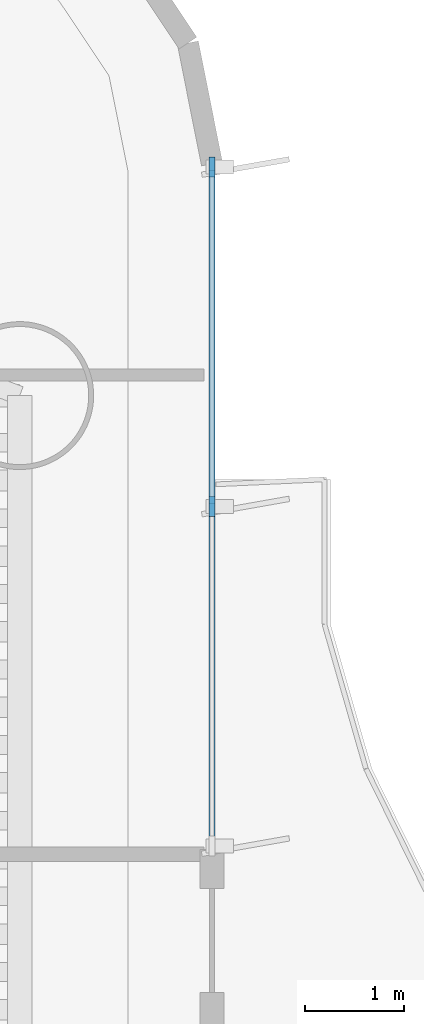
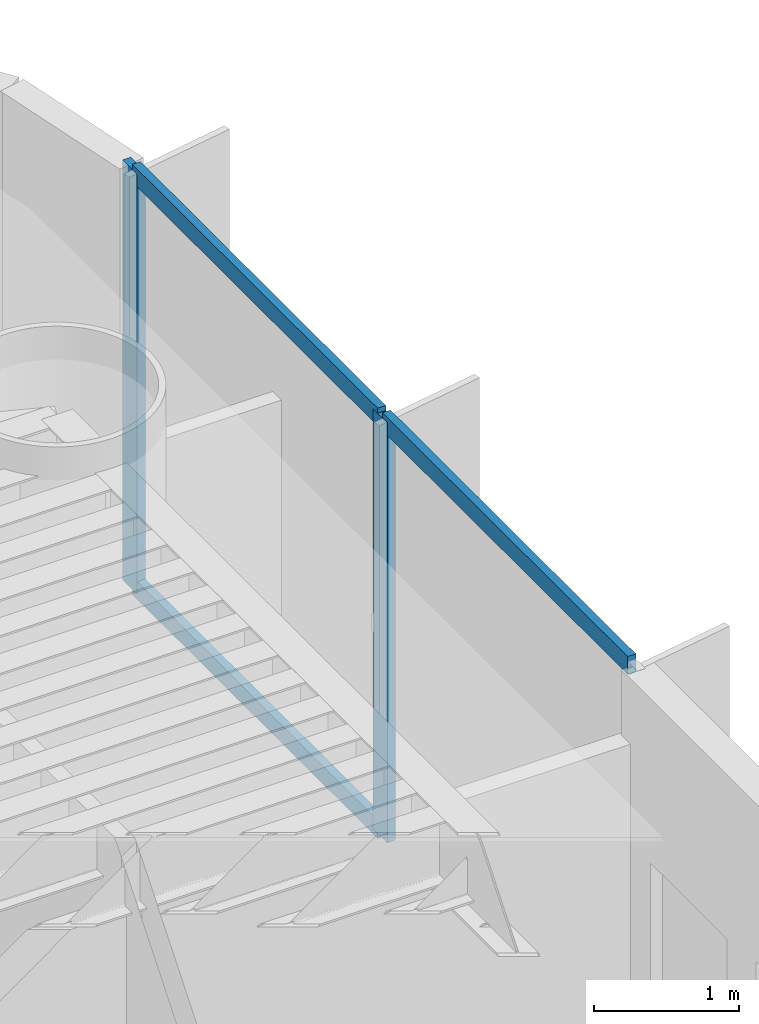
# One storey, part 6 of 18: 5 members, 1 element without a shape of its own.
"""IFC4 building model written with IfcOpenShell, lengths in metres."""

import ifcopenshell
import ifcopenshell.guid

model = None  # the IFC model being written
_history = None  # IfcOwnerHistory: only IFC2X3 demands one
_inside = {}  # id of a spatial element -> (the spatial element, [elements in it])
_under = {}  # id of a project, library or spatial element -> (it, [spatial elements below it])
_declared = {}  # id of a project -> (the project, [libraries it declares])
_typed = {}  # id of a type object -> (the type object, [elements of that type])
_made_of = {}  # id of a material, layer set ... -> (it, [elements and type objects made of it])


def new_model(schema):
    """Start an empty IFC model of exactly this schema.

    Asked for "IFC4X3", IfcOpenShell would pick the latest addendum, in which some entities
    have other attributes; the version numbers below select the first issue.
    IFC2X3 requires an IfcOwnerHistory on every rooted entity: one is made here for all.
    """
    global model, _history
    if schema == "IFC4X3":
        model = ifcopenshell.file(schema_version=(4, 3, 0, 0))
    else:
        model = ifcopenshell.file(schema=schema)
    _inside.clear()
    _under.clear()
    _declared.clear()
    _typed.clear()
    _made_of.clear()
    _history = None
    if model.schema == "IFC2X3":
        org = make("IfcOrganization", Name="unknown")
        user = make(
            "IfcPersonAndOrganization",
            ThePerson=make("IfcPerson", FamilyName="unknown"),
            TheOrganization=org,
        )
        app = make(
            "IfcApplication",
            ApplicationDeveloper=org,
            Version="unknown",
            ApplicationFullName="unknown",
            ApplicationIdentifier="unknown",
        )
        _history = make(
            "IfcOwnerHistory",
            OwningUser=user,
            OwningApplication=app,
            ChangeAction="ADDED",
            CreationDate=0,
        )
    return model


def make(cls, **values):
    """One entity of the class cls with the attributes given. An attribute that is None is left unset."""
    return model.create_entity(
        cls, **{name: value for name, value in values.items() if value is not None}
    )


def rooted(cls, **values):
    """An entity with a GlobalId (a new one), such as an element, a storey or a relation."""
    return make(cls, GlobalId=ifcopenshell.guid.new(), OwnerHistory=_history, **values)


def si_unit(unit_type, name, prefix=None):
    """IfcSIUnit, for example si_unit("LENGTHUNIT", "METRE", prefix="MILLI")."""
    return make("IfcSIUnit", UnitType=unit_type, Prefix=prefix, Name=name)


def assignment(units):
    """IfcUnitAssignment: the units of a project."""
    return None if units is None else make("IfcUnitAssignment", Units=units)


def point(xyz):
    """IfcCartesianPoint."""
    return None if xyz is None else make("IfcCartesianPoint", Coordinates=xyz)


def direction(xyz):
    """IfcDirection."""
    return None if xyz is None else make("IfcDirection", DirectionRatios=xyz)


def frame(location, z_axis=None, x_axis=None):
    """IfcAxis2Placement3D, a coordinate frame: its origin and axes. An axis left out is left unset."""
    return make(
        "IfcAxis2Placement3D",
        Location=point(location),
        Axis=direction(z_axis),
        RefDirection=direction(x_axis),
    )


def frame_2d(location, x_axis=None):
    """IfcAxis2Placement2D, a coordinate frame in the plane: its origin and x axis."""
    return make(
        "IfcAxis2Placement2D", Location=point(location), RefDirection=direction(x_axis)
    )


def origin():
    """The frame at (0, 0, 0) with its axes left unset."""
    return frame((0.0, 0.0, 0.0))


def origin_2d():
    """The frame at (0, 0) in the plane with its x axis left unset."""
    return frame_2d((0.0, 0.0))


def place(relative_to, where):
    """IfcLocalPlacement: puts the frame where relative to a parent placement (None: the world)."""
    return make(
        "IfcLocalPlacement", PlacementRelTo=relative_to, RelativePlacement=where
    )


def context(
    kind, dimensions, precision=None, world=None, true_north=None, identifier=None
):
    """IfcGeometricRepresentationContext, for example the 3D "Model" context."""
    return make(
        "IfcGeometricRepresentationContext",
        ContextIdentifier=identifier,
        ContextType=kind,
        CoordinateSpaceDimension=dimensions,
        Precision=precision,
        WorldCoordinateSystem=world,
        TrueNorth=true_north,
    )


def subcontext(parent, identifier, kind, view, scale=None):
    """IfcGeometricRepresentationSubContext, for example "Body" below "Model"."""
    return make(
        "IfcGeometricRepresentationSubContext",
        ContextIdentifier=identifier,
        ContextType=kind,
        ParentContext=parent,
        TargetScale=scale,
        TargetView=view,
    )


def project(units=None, contexts=None):
    """IfcProject with its units and contexts."""
    return rooted(
        "IfcProject",
        Name="project",
        RepresentationContexts=contexts,
        UnitsInContext=assignment(units),
    )


def spatial(cls, under=None, at=None, **own):
    """A site, building, storey or space (cls), placed at a placement, below another one or the project."""
    s = rooted(cls, ObjectPlacement=at, **own)
    if under is not None:
        _under.setdefault(under.id(), (under, []))[1].append(s)
    return s


def profile(cls, at=None, kind="AREA", **sizes):
    """A parametric profile (cls). Its sizes go by their IFC names, for example OverallWidth=200.0."""
    return make(cls, ProfileType=kind, Position=at, **sizes)


def rectangle(**sizes):
    """IfcRectangleProfileDef."""
    return profile("IfcRectangleProfileDef", **sizes)


def extrude(swept, where, along, depth):
    """IfcExtrudedAreaSolid: the profile swept, set in the frame where, extruded along a direction by depth."""
    return make(
        "IfcExtrudedAreaSolid",
        SweptArea=swept,
        Position=where,
        ExtrudedDirection=direction(along),
        Depth=depth,
    )


def shape(context_of_items, identifier, shape_type, items):
    """IfcShapeRepresentation: the items that make up one representation, for example the "Body"."""
    return make(
        "IfcShapeRepresentation",
        ContextOfItems=context_of_items,
        RepresentationIdentifier=identifier,
        RepresentationType=shape_type,
        Items=items,
    )


def source(mapping_origin, context_of_items, identifier, shape_type, items):
    """IfcRepresentationMap: a shape defined once, which mapped items show again and again."""
    return make(
        "IfcRepresentationMap",
        MappingOrigin=mapping_origin,
        MappedRepresentation=shape(context_of_items, identifier, shape_type, items),
    )


def transform(
    local_origin,
    x_axis=None,
    y_axis=None,
    z_axis=None,
    scale=None,
    scale2=None,
    scale3=None,
    uniform=True,
):
    """IfcCartesianTransformationOperator3D, or its non-uniform kind. x_axis, y_axis, z_axis: its Axis1, 2, 3."""
    if uniform:
        return make(
            "IfcCartesianTransformationOperator3D",
            Axis1=direction(x_axis),
            Axis2=direction(y_axis),
            LocalOrigin=point(local_origin),
            Scale=scale,
            Axis3=direction(z_axis),
        )
    return make(
        "IfcCartesianTransformationOperator3DnonUniform",
        Axis1=direction(x_axis),
        Axis2=direction(y_axis),
        LocalOrigin=point(local_origin),
        Scale=scale,
        Axis3=direction(z_axis),
        Scale2=scale2,
        Scale3=scale3,
    )


def mapped(mapping_source, mapping_target):
    """IfcMappedItem: shows the shape of a source again, moved by a transform."""
    return make(
        "IfcMappedItem", MappingSource=mapping_source, MappingTarget=mapping_target
    )


def material(Name=None, Category=None):
    """IfcMaterial."""
    return make("IfcMaterial", Name=Name, Category=Category)


def layer(
    of_material, thickness, ventilated=None, Name=None, Category=None, Priority=None
):
    """IfcMaterialLayer: one layer of a wall or slab, of a material (None: an air gap)."""
    return make(
        "IfcMaterialLayer",
        Material=of_material,
        LayerThickness=thickness,
        IsVentilated=ventilated,
        Name=Name,
        Category=Category,
        Priority=Priority,
    )


def layer_set(layers, Name=None):
    """IfcMaterialLayerSet."""
    return make("IfcMaterialLayerSet", MaterialLayers=layers, LayerSetName=Name)


def material_profile(
    of_material, cross_section, Name=None, Category=None, Priority=None
):
    """IfcMaterialProfile: a cross section and its material."""
    return make(
        "IfcMaterialProfile",
        Name=Name,
        Material=of_material,
        Profile=cross_section,
        Priority=Priority,
        Category=Category,
    )


def profile_set(profiles, Name=None, composite=None):
    """IfcMaterialProfileSet."""
    return make(
        "IfcMaterialProfileSet",
        Name=Name,
        MaterialProfiles=profiles,
        CompositeProfile=composite,
    )


def made_of(thing, what):
    """Note that an element or type object is made of a material, layer set ...; save() writes the relation."""
    if what is not None:
        _made_of.setdefault(what.id(), (what, []))[1].append(thing)
    return thing


def type_object(cls, material=None, **own):
    """A type object (cls), such as IfcWallType, which elements share."""
    return made_of(rooted(cls, **own), material)


def element(
    cls,
    number,
    at=None,
    inside=None,
    cuts=None,
    type_object=None,
    material=None,
    context=None,
    identifier="Body",
    shape_type=None,
    held_by="IfcProductDefinitionShape",
    body=None,
    shapes=None,
    **own,
):
    """One element of the class cls, such as IfcWall. Its Tag is "e" and its number.

    at: its placement. inside: the storey or other place that contains it. cuts: it is an
    opening in that element (IfcRelVoidsElement). A single representation is given by context,
    identifier, shape_type and body (its items); several are given by shapes. held_by: the class
    of the entity that holds the representations. save() writes the other relations.
    """
    e = rooted(cls, Tag="e%d" % number, ObjectPlacement=at, **own)
    if body is not None:
        shapes = [shape(context, identifier, shape_type, body)]
    if shapes is not None:
        e.Representation = make(held_by, Representations=shapes)
    if inside is not None:
        _inside.setdefault(inside.id(), (inside, []))[1].append(e)
    if cuts is not None:
        rooted(
            "IfcRelVoidsElement", RelatingBuildingElement=cuts, RelatedOpeningElement=e
        )
    if type_object is not None:
        _typed.setdefault(type_object.id(), (type_object, []))[1].append(e)
    return made_of(e, material)


def aggregate(whole, parts):
    """IfcRelAggregates: a whole, such as a stair, and the parts it consists of."""
    return rooted("IfcRelAggregates", RelatingObject=whole, RelatedObjects=parts)


def save(model, path):
    """Write the relations noted so far, then the file.

    IfcRelAggregates (storeys below a building ...), IfcRelContainedInSpatialStructure (elements
    in a storey), IfcRelDefinesByType, IfcRelAssociatesMaterial and IfcRelDeclares: one each for
    every whole, place, type object, material and project.
    """
    for whole, parts in _under.values():
        aggregate(whole, parts)
    for where, things in _inside.values():
        rooted(
            "IfcRelContainedInSpatialStructure",
            RelatedElements=things,
            RelatingStructure=where,
        )
    for kind, things in _typed.values():
        rooted("IfcRelDefinesByType", RelatedObjects=things, RelatingType=kind)
    for what, things in _made_of.values():
        rooted("IfcRelAssociatesMaterial", RelatedObjects=things, RelatingMaterial=what)
    for by, libraries in _declared.values():
        rooted("IfcRelDeclares", RelatingContext=by, RelatedDefinitions=libraries)
    model.write(path)


model = new_model("IFC4")

# Units and contexts
model_context = context("Model", 3, precision=1e-05, world=origin(), true_north=direction((0.0, 1.0)))
body_context = subcontext(model_context, "Body", "Model", "MODEL_VIEW")
ifc_project = project(units=[si_unit("LENGTHUNIT", "METRE"), si_unit("AREAUNIT", "SQUARE_METRE"), si_unit("VOLUMEUNIT", "CUBIC_METRE"), si_unit("PLANEANGLEUNIT", "RADIAN"), si_unit("MASSUNIT", "GRAM", prefix="KILO")], contexts=[model_context])

# Site, building, storey
site_placement = place(None, origin())
site = spatial("IfcSite", under=ifc_project, at=site_placement, CompositionType="ELEMENT")
building_placement = place(site_placement, origin())
building = spatial("IfcBuilding", under=site, at=building_placement, Name="Brelvock Crest Care Tower", CompositionType="ELEMENT")
storey_placement = place(building_placement, frame((0.0, 0.0, 72.360107421875)))
storey = spatial("IfcBuildingStorey", under=building, at=storey_placement, Name="L18", CompositionType="ELEMENT", Elevation=72.360107421875)

# Curtain wall, members
ifc_material_1 = material(Name="Dark Glass Double Glazed Low-E", Category="glass")
ifc_layer = layer(ifc_material_1, 0.195068359375, Name="CWS-2")
ifc_layer_set = layer_set([ifc_layer], Name="Dark Glass Double Glazed Low-E")
curtain_wall_type = type_object("IfcCurtainWallType", Name="CWS-2", PredefinedType="NOTDEFINED", material=ifc_layer_set)
curtain_wall_placement = place(storey_placement, origin())
curtain_wall = element("IfcCurtainWall", 1, at=curtain_wall_placement, inside=storey, type_object=curtain_wall_type, Name="L18 Curtain Wall E03A", PredefinedType="NOTDEFINED")
ifc_material_2 = material(Name="Aluminium 6063-T6", Category="aluminium")
ifc_material_profile_1 = material_profile(ifc_material_2, rectangle(XDim=0.06494140625, YDim=0.199951171875, at=origin_2d()), Name="ALU65x200")
ifc_profile_set_1 = profile_set([ifc_material_profile_1], Name="Aluminium 6063-T6")
member_type_1 = type_object("IfcMemberType", Name="CWM-1", PredefinedType="MULLION", material=ifc_profile_set_1)
shared_shape_1 = source(origin(), body_context, "Body", "SweptSolid", [
    extrude(rectangle(XDim=0.06494140625, YDim=0.199951171875, at=origin_2d()), origin(), (0.0, 0.0, 1.0), 3.52978515625),
])
member_1_placement = place(storey_placement, frame((60.0, 32.767578125, 0.0), z_axis=(0.0, 0.0, 1.0), x_axis=(1.0, 0.0, 0.0)))
member_1 = element("IfcMember", 2, at=member_1_placement, type_object=member_type_1, Name="CW-2 mullion 1", PredefinedType="MULLION", context=body_context, shape_type="MappedRepresentation", body=[
    mapped(shared_shape_1, transform((0.0, 0.0, 0.0), x_axis=(1.0, 0.0, 0.0), y_axis=(0.0, 1.0, 0.0), z_axis=(0.0, 0.0, 1.0), scale=1.0)),
])
member_2_placement = place(storey_placement, frame((60.0, 29.324951171875, 0.0), z_axis=(0.0, 0.0, 1.0), x_axis=(1.0, 0.0, 0.0)))
member_2 = element("IfcMember", 3, at=member_2_placement, type_object=member_type_1, Name="CW-2 mullion 2", PredefinedType="MULLION", context=body_context, shape_type="MappedRepresentation", body=[
    mapped(shared_shape_1, transform((0.0, 0.0, 0.0), x_axis=(1.0, 0.0, 0.0), y_axis=(0.0, 1.0, 0.0), z_axis=(0.0, 0.0, 1.0), scale=1.0)),
])
ifc_material_profile_2 = material_profile(ifc_material_2, rectangle(XDim=0.06494140625, YDim=0.14990234375, at=origin_2d()), Name="ALU65x150")
ifc_profile_set_2 = profile_set([ifc_material_profile_2], Name="Aluminium 6063-T6")
member_type_2 = type_object("IfcMemberType", Name="CWT-1", PredefinedType="USERDEFINED", material=ifc_profile_set_2)
shared_shape_2 = source(origin(), body_context, "Body", "SweptSolid", [
    extrude(rectangle(XDim=0.06494140625, YDim=0.14990234375, at=origin_2d()), origin(), (0.0, 0.0, 1.0), 3.377685546875),
])
member_3_placement = place(storey_placement, frame((60.0, 32.735107421875, 0.032470703125), z_axis=(0.0, -1.0, 0.0), x_axis=(1.0, 0.0, 0.0)))
member_3 = element("IfcMember", 4, at=member_3_placement, type_object=member_type_2, Name="CW-2 transom 1.1", ObjectType="TRANSOM", PredefinedType="USERDEFINED", context=body_context, shape_type="MappedRepresentation", body=[
    mapped(shared_shape_2, transform((0.0, 0.0, 0.0), x_axis=(1.0, 0.0, 0.0), y_axis=(0.0, 1.0, 0.0), z_axis=(0.0, 0.0, 1.0), scale=1.0)),
])
member_4_placement = place(storey_placement, frame((60.0, 32.735107421875, 3.497314453125), z_axis=(0.0, -1.0, 0.0), x_axis=(1.0, 0.0, 0.0)))
member_4 = element("IfcMember", 5, at=member_4_placement, type_object=member_type_2, Name="CW-2 transom 1.2", ObjectType="TRANSOM", PredefinedType="USERDEFINED", context=body_context, shape_type="MappedRepresentation", body=[
    mapped(shared_shape_2, transform((0.0, 0.0, 0.0), x_axis=(1.0, 0.0, 0.0), y_axis=(0.0, 1.0, 0.0), z_axis=(0.0, 0.0, 1.0), scale=1.0)),
])
shared_shape_3 = source(origin(), body_context, "Body", "SweptSolid", [
    extrude(rectangle(XDim=0.06494140625, YDim=0.14990234375, at=origin_2d()), origin(), (0.0, 0.0, 1.0), 3.37744140625),
])
member_5_placement = place(storey_placement, frame((60.0, 29.29248046875, 3.497314453125), z_axis=(0.0, -1.0, 0.0), x_axis=(1.0, 0.0, 0.0)))
member_5 = element("IfcMember", 6, at=member_5_placement, type_object=member_type_2, Name="CW-2 transom 2.2", ObjectType="TRANSOM", PredefinedType="USERDEFINED", context=body_context, shape_type="MappedRepresentation", body=[
    mapped(shared_shape_3, transform((0.0, 0.0, 0.0), x_axis=(1.0, 0.0, 0.0), y_axis=(0.0, 1.0, 0.0), z_axis=(0.0, 0.0, 1.0), scale=1.0)),
])
aggregate(curtain_wall, [member_1, member_2, member_3, member_4, member_5])

save(model, "model.ifc")
